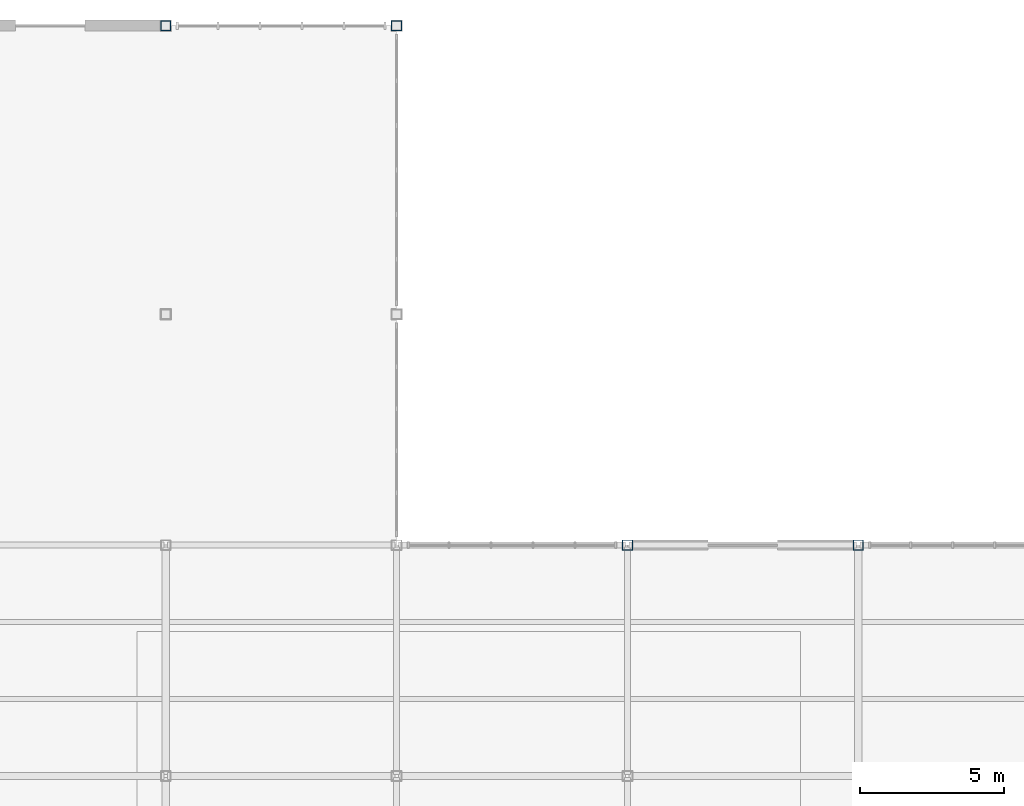
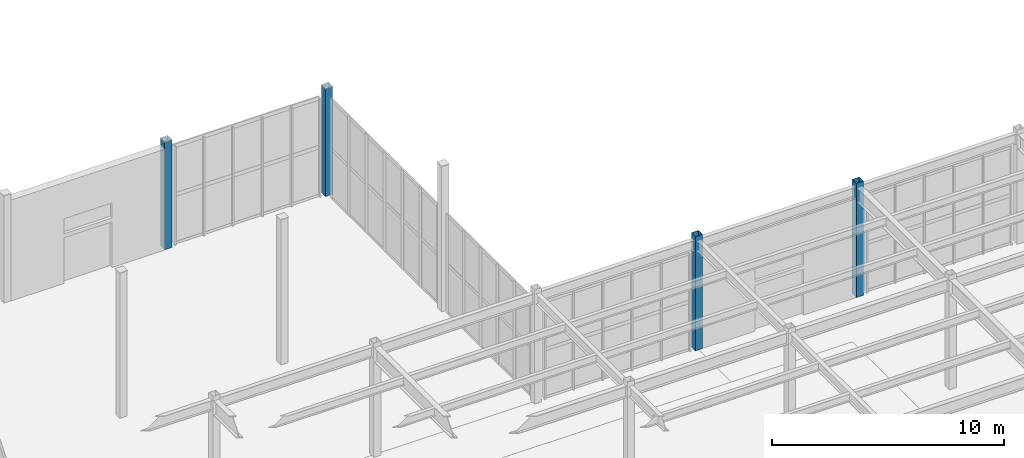
# One storey, part 16 of 82: 4 columns.
"""IFC4 building model written with IfcOpenShell, lengths in metres."""

from ifc_helpers import new_model, si_unit, direction, frame, origin, origin_2d, place, context, subcontext, project, spatial, hollow_rectangle, extrude, material, material_profile, profile_set, type_object, element, save


model = new_model("IFC4")

# Units and contexts
model_context = context("Model", 3, precision=1e-05, world=origin(), true_north=direction((0.0, 1.0)))
body_context = subcontext(model_context, "Body", "Model", "MODEL_VIEW")
ifc_project = project(units=[si_unit("LENGTHUNIT", "METRE"), si_unit("AREAUNIT", "SQUARE_METRE"), si_unit("VOLUMEUNIT", "CUBIC_METRE"), si_unit("PLANEANGLEUNIT", "RADIAN"), si_unit("MASSUNIT", "GRAM", prefix="KILO")], contexts=[model_context])

# Site, building, storey
site_placement = place(None, origin())
site = spatial("IfcSite", under=ifc_project, at=site_placement, CompositionType="ELEMENT")
building_placement = place(site_placement, origin())
building = spatial("IfcBuilding", under=site, at=building_placement, Name="Drelvath Fold Interchange", CompositionType="ELEMENT")
storey_placement = place(building_placement, origin())
storey = spatial("IfcBuildingStorey", under=building, at=storey_placement, Name="L00", CompositionType="ELEMENT", Elevation=0.0)

# Columns
ifc_material = material(Name="Steel ASTM A500 Grade C", Category="steel")
ifc_material_profile = material_profile(ifc_material, hollow_rectangle(XDim=0.35595703125, YDim=0.35595703125, WallThickness=0.014892578125, at=origin_2d()), Name="HSS14X14X5/8")
ifc_profile_set = profile_set([ifc_material_profile], Name="Steel ASTM A500 Grade C")
column_type = type_object("IfcColumnType", Name="COL-HSS356", PredefinedType="COLUMN", material=ifc_profile_set)
for number, where, z_axis, x_axis, name in (
    (1, (36.0, 117.0, 0.0), (0.0, 0.0, 1.0), (1.0, 0.0, 0.0), "L00 column (36,117)"),
    (2, (44.0, 117.0, 0.0), (0.0, 0.0, 1.0), (1.0, 0.0, 0.0), "L00 column (44,117)"),
):
    element("IfcColumn", number, at=place(storey_placement, frame(where, z_axis=z_axis, x_axis=x_axis)), inside=storey, type_object=column_type, Name=name, PredefinedType="COLUMN", context=body_context, shape_type="SweptSolid", body=[
        extrude(hollow_rectangle(XDim=0.35595703125, YDim=0.35595703125, WallThickness=0.014892578125, at=origin_2d()), origin(), (0.0, 0.0, 1.0), 5.64990234375),
    ])
for number, where, z_axis, x_axis, name in (
    (3, (52.0, 99.0, 0.0), (0.0, 0.0, 1.0), (1.0, 0.0, 0.0), "L00 column (52,99)"),
    (4, (60.0, 99.0, 0.0), (0.0, 0.0, 1.0), (1.0, 0.0, 0.0), "L00 column (60,99)"),
):
    element("IfcColumn", number, at=place(storey_placement, frame(where, z_axis=z_axis, x_axis=x_axis)), inside=storey, type_object=column_type, Name=name, PredefinedType="COLUMN", context=body_context, shape_type="SweptSolid", body=[
        extrude(hollow_rectangle(XDim=0.35595703125, YDim=0.35595703125, WallThickness=0.014892578125, at=origin_2d()), origin(), (0.0, 0.0, 1.0), 6.0),
    ])

save(model, "model.ifc")
